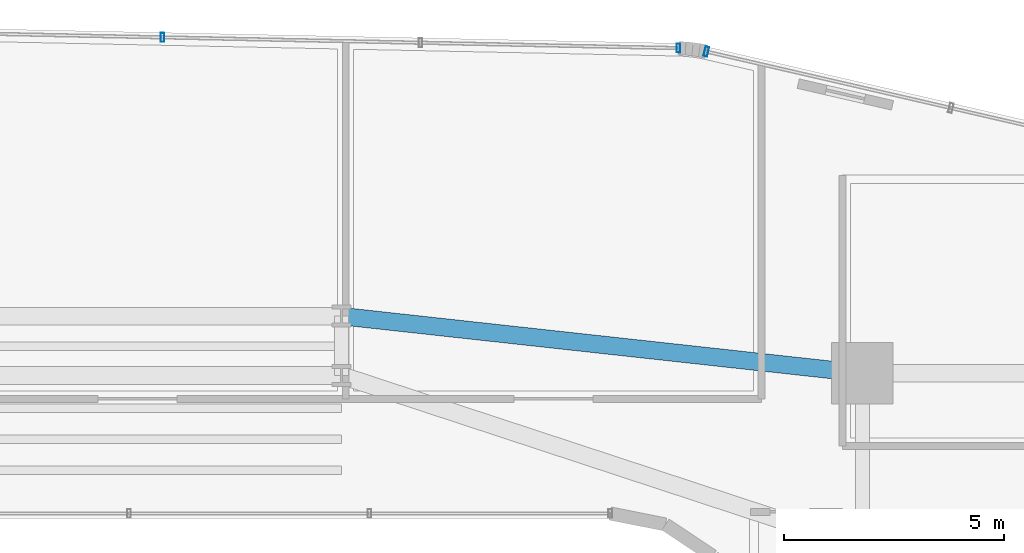
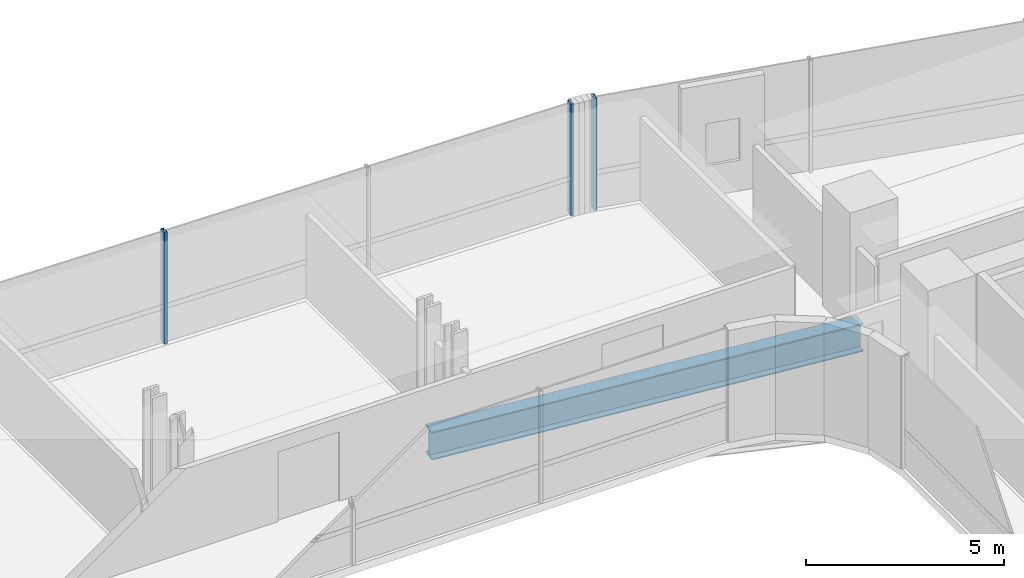
# One storey, part 21 of 39: 3 members, 1 beam, 2 elements without a shape of their own.
"""IFC4 building model written with IfcOpenShell, lengths in metres."""

from ifc_helpers import new_model, si_unit, direction, frame, origin, origin_2d, place, context, subcontext, project, spatial, hollow_rectangle, i_section, extrude, source, transform, mapped, material, material_profile, profile_set, type_object, element, aggregate, save


model = new_model("IFC4")

# Units and contexts
model_context = context("Model", 3, precision=1e-05, world=origin(), true_north=direction((0.0, 1.0)))
body_context = subcontext(model_context, "Body", "Model", "MODEL_VIEW")
ifc_project = project(units=[si_unit("LENGTHUNIT", "METRE"), si_unit("AREAUNIT", "SQUARE_METRE"), si_unit("VOLUMEUNIT", "CUBIC_METRE"), si_unit("PLANEANGLEUNIT", "RADIAN"), si_unit("MASSUNIT", "GRAM", prefix="KILO")], contexts=[model_context])

# Site, building, storey
site_placement = place(None, origin())
site = spatial("IfcSite", under=ifc_project, at=site_placement, CompositionType="ELEMENT")
building_placement = place(site_placement, origin())
building = spatial("IfcBuilding", under=site, at=building_placement, Name="Valdorenza Pilgrim Sanctuary Tower", CompositionType="ELEMENT")
storey_placement = place(building_placement, frame((0.0, 0.0, 77.800048828125)))
storey = spatial("IfcBuildingStorey", under=building, at=storey_placement, Name="L19", CompositionType="ELEMENT", Elevation=77.800048828125)

# Beam
ifc_material_1 = material(Name="Steel ASTM A992 Grade 50", Category="steel")
ifc_material_profile_1 = material_profile(ifc_material_1, i_section(OverallWidth=0.39990234375, OverallDepth=0.862060546875, WebThickness=0.019775390625, FlangeThickness=0.032470703125, at=origin_2d()), Name="W33X221")
ifc_profile_set_1 = profile_set([ifc_material_profile_1], Name="Steel ASTM A992 Grade 50")
beam_type = type_object("IfcBeamType", Name="STR-BM-GRD-W33", PredefinedType="BEAM", material=ifc_profile_set_1)
shared_shape_1 = source(origin(), body_context, "Body", "SweptSolid", [
    extrude(i_section(OverallWidth=0.39990234375, OverallDepth=0.862060546875, WebThickness=0.019775390625, FlangeThickness=0.032470703125, at=origin_2d()), origin(), (0.0, 0.0, 1.0), 11.921142578125),
])
beam_placement = place(storey_placement, frame((4.0, 14.800048828125, -0.671142578125), z_axis=(0.994035876607, -0.10905354656, 0.0), x_axis=(0.10905354656, 0.994035876607, 0.0)))
element("IfcBeam", 1, at=beam_placement, inside=storey, type_object=beam_type, Name="L19 Floor Girder KNK-G6", PredefinedType="BEAM", context=body_context, shape_type="MappedRepresentation", body=[
    mapped(shared_shape_1, transform((0.0, 0.0, 0.0), x_axis=(1.0, 0.0, 0.0), y_axis=(0.0, 1.0, 0.0), z_axis=(0.0, 0.0, 1.0), scale=1.0)),
])

# Curtain wall, members
ifc_material_2 = material(Name="Curtain-wall IGU glazing", Category="glass")
curtain_wall_type_1 = type_object("IfcCurtainWallType", Name="CW-SYS-02", PredefinedType="NOTDEFINED", material=ifc_material_2)
curtain_wall_1_placement = place(storey_placement, origin())
curtain_wall_1 = element("IfcCurtainWall", 2, at=curtain_wall_1_placement, inside=storey, type_object=curtain_wall_type_1, Name="L19 Curtain Wall CW-L19-1-11", PredefinedType="NOTDEFINED")
ifc_material_3 = material(Name="Anodised aluminium AW-6060", Category="aluminium")
ifc_material_profile_2 = material_profile(ifc_material_3, hollow_rectangle(XDim=0.0849609375, YDim=0.199951171875, WallThickness=0.0048828125, at=origin_2d()), Name="ALU-M 200x85x5")
ifc_profile_set_2 = profile_set([ifc_material_profile_2], Name="Anodised aluminium AW-6060")
member_type_1 = type_object("IfcMemberType", Name="CW-MUL-02", PredefinedType="MULLION", material=ifc_profile_set_2)
shared_shape_2 = source(origin(), body_context, "Body", "SweptSolid", [
    extrude(hollow_rectangle(XDim=0.0849609375, YDim=0.199951171875, WallThickness=0.0048828125, at=origin_2d()), origin(), (0.0, 0.0, 1.0), 3.4599609375),
])
member_1_placement = place(storey_placement, frame((-0.0712890625, 21.1416015625, 0.0), z_axis=(0.0, 0.0, 1.0), x_axis=(0.999783234613, -0.020820273474, 0.0)))
member_1 = element("IfcMember", 3, at=member_1_placement, type_object=member_type_1, Name="CW-L19-1-11 Mullion 3", PredefinedType="MULLION", context=body_context, shape_type="MappedRepresentation", body=[
    mapped(shared_shape_2, transform((0.0, 0.0, 0.0), x_axis=(1.0, 0.0, 0.0), y_axis=(0.0, 1.0, 0.0), z_axis=(0.0, 0.0, 1.0), scale=1.0)),
])
member_2_placement = place(storey_placement, frame((11.665771484375, 20.89697265625, 0.0), z_axis=(0.0, 0.0, 1.0), x_axis=(0.999783234613, -0.020820273474, 0.0)))
member_2 = element("IfcMember", 4, at=member_2_placement, type_object=member_type_1, Name="CW-L19-1-11 Mullion 5", PredefinedType="MULLION", context=body_context, shape_type="MappedRepresentation", body=[
    mapped(shared_shape_2, transform((0.0, 0.0, 0.0), x_axis=(1.0, 0.0, 0.0), y_axis=(0.0, 1.0, 0.0), z_axis=(0.0, 0.0, 1.0), scale=1.0)),
])
aggregate(curtain_wall_1, [member_1, member_2])

# Curtain wall, member
curtain_wall_type_2 = type_object("IfcCurtainWallType", Name="CW-SYS-03", PredefinedType="NOTDEFINED", material=ifc_material_2)
curtain_wall_2_placement = place(storey_placement, origin())
curtain_wall_2 = element("IfcCurtainWall", 5, at=curtain_wall_2_placement, inside=storey, type_object=curtain_wall_type_2, Name="L19 Curtain Wall CW-L19-1-16", PredefinedType="NOTDEFINED")
ifc_material_profile_3 = material_profile(ifc_material_3, hollow_rectangle(XDim=0.0849609375, YDim=0.219970703125, WallThickness=0.0048828125, at=origin_2d()), Name="ALU-M 220x85x5")
ifc_profile_set_3 = profile_set([ifc_material_profile_3], Name="Anodised aluminium AW-6060")
member_type_2 = type_object("IfcMemberType", Name="CW-MUL-03", PredefinedType="MULLION", material=ifc_profile_set_3)
shared_shape_3 = source(origin(), body_context, "Body", "SweptSolid", [
    extrude(hollow_rectangle(XDim=0.0849609375, YDim=0.219970703125, WallThickness=0.0048828125, at=origin_2d()), origin(), (0.0, 0.0, 1.0), 3.4599609375),
])
member_3_placement = place(storey_placement, frame((12.299072265625, 20.818115234375, 0.0), z_axis=(0.0, 0.0, 1.0), x_axis=(0.974389691758, -0.224866023659, 0.0)))
member_3 = element("IfcMember", 6, at=member_3_placement, type_object=member_type_2, Name="CW-L19-1-16 Mullion 1", PredefinedType="MULLION", context=body_context, shape_type="MappedRepresentation", body=[
    mapped(shared_shape_3, transform((0.0, 0.0, 0.0), x_axis=(1.0, 0.0, 0.0), y_axis=(0.0, 1.0, 0.0), z_axis=(0.0, 0.0, 1.0), scale=1.0)),
])
aggregate(curtain_wall_2, [member_3])

save(model, "model.ifc")
